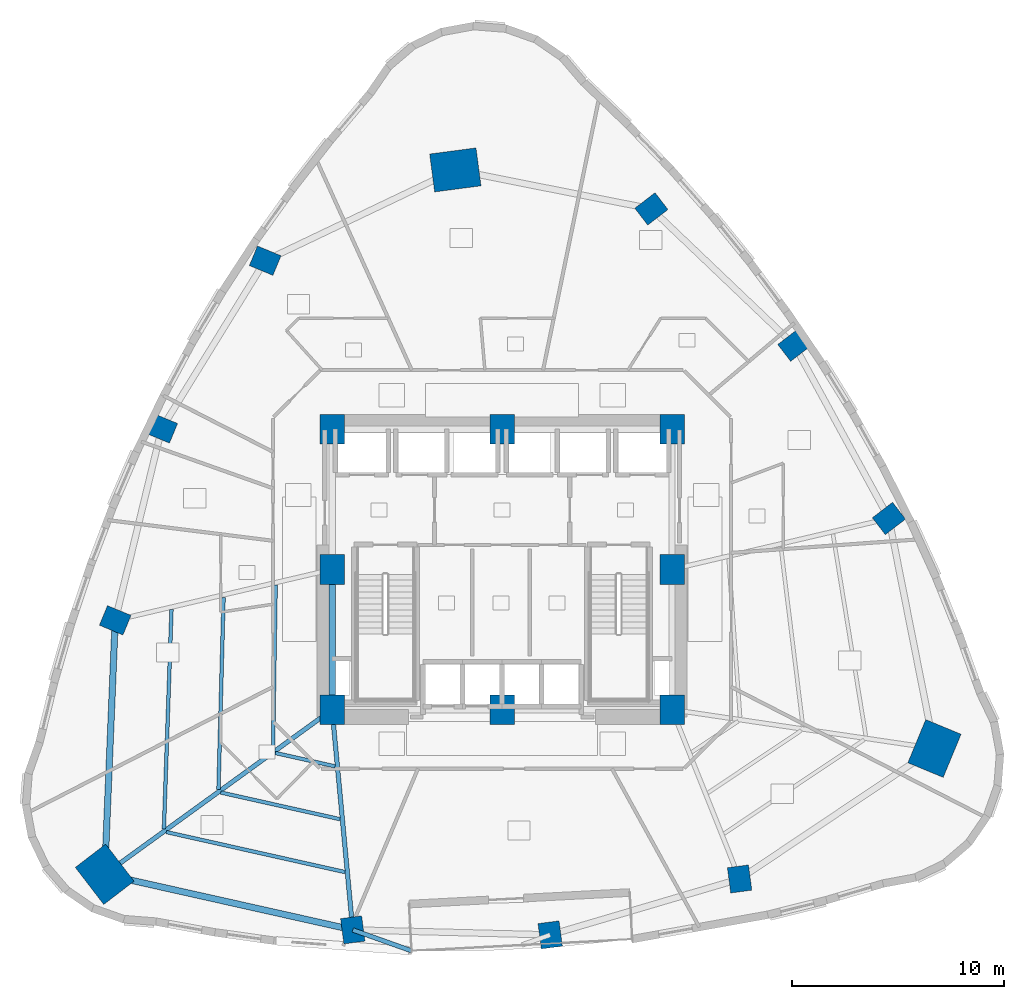
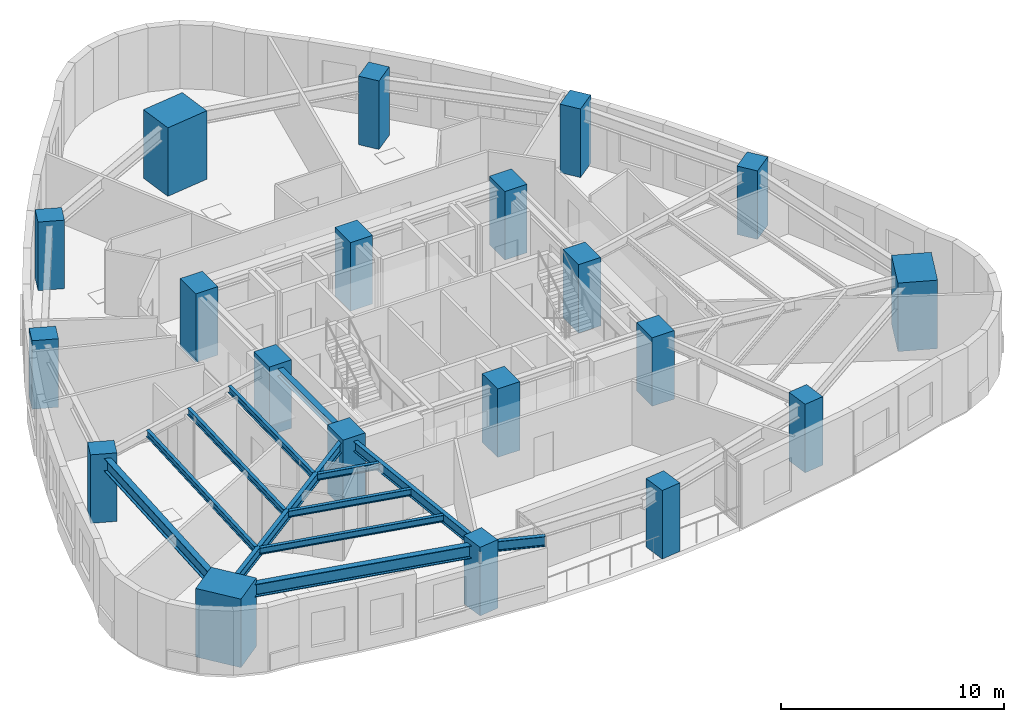
# One storey, part 1 of 11: 20 columns, 12 beams.
"""IFC4 building model written with IfcOpenShell, lengths in metres."""

from ifc_helpers import new_model, si_unit, direction, frame, origin, origin_2d, place, context, subcontext, project, spatial, rectangle, i_section, extrude, material, material_profile, profile_set, type_object, element, save


model = new_model("IFC4")

# Units and contexts
model_context = context("Model", 3, precision=1e-05, world=origin(), true_north=direction((0.0, 1.0)))
body_context = subcontext(model_context, "Body", "Model", "MODEL_VIEW")
ifc_project = project(units=[si_unit("LENGTHUNIT", "METRE"), si_unit("AREAUNIT", "SQUARE_METRE"), si_unit("VOLUMEUNIT", "CUBIC_METRE"), si_unit("PLANEANGLEUNIT", "RADIAN"), si_unit("MASSUNIT", "GRAM", prefix="KILO")], contexts=[model_context])

# Site, building, storey
site_placement = place(None, origin())
site = spatial("IfcSite", under=ifc_project, at=site_placement, CompositionType="ELEMENT")
building_placement = place(site_placement, origin())
building = spatial("IfcBuilding", under=site, at=building_placement, Name="Ndelora Gate Hotel", CompositionType="ELEMENT")
storey_placement = place(building_placement, frame((0.0, 0.0, 45.5)))
storey = spatial("IfcBuildingStorey", under=building, at=storey_placement, Name="L10", CompositionType="ELEMENT", Elevation=45.5)

# Columns
ifc_material_1 = material(Name="Concrete C60/75", Category="concrete")
ifc_material_profile_1 = material_profile(ifc_material_1, rectangle(XDim=1.14990234375, YDim=1.39990234375, at=origin_2d()), Name="RC 1400x1150")
ifc_profile_set_1 = profile_set([ifc_material_profile_1], Name="Concrete C60/75")
column_type_1 = type_object("IfcColumnType", Name="COL-CC-LOW", PredefinedType="COLUMN", material=ifc_profile_set_1)
for number, where, z_axis, x_axis, name in (
    (1, (-8.0, -6.60009765625, 0.0), (0.0, 0.0, 1.0), (1.0, 0.0, 0.0), "L10 Core Column CC1"),
    (2, (0.0, -6.60009765625, 0.0), (0.0, 0.0, 1.0), (1.0, 0.0, 0.0), "L10 Core Column CC2"),
    (3, (8.0, -6.60009765625, 0.0), (0.0, 0.0, 1.0), (1.0, 0.0, 0.0), "L10 Core Column CC3"),
    (4, (8.0, 0.0, 0.0), (0.0, 0.0, 1.0), (1.0, 0.0, 0.0), "L10 Core Column CC4"),
    (5, (8.0, 6.60009765625, 0.0), (0.0, 0.0, 1.0), (1.0, 0.0, 0.0), "L10 Core Column CC5"),
    (6, (0.0, 6.60009765625, 0.0), (0.0, 0.0, 1.0), (1.0, 0.0, 0.0), "L10 Core Column CC6"),
    (7, (-8.0, 6.60009765625, 0.0), (0.0, 0.0, 1.0), (1.0, 0.0, 0.0), "L10 Core Column CC7"),
    (8, (-8.0, 0.0, 0.0), (0.0, 0.0, 1.0), (1.0, 0.0, 0.0), "L10 Core Column CC8"),
):
    element("IfcColumn", number, at=place(storey_placement, frame(where, z_axis=z_axis, x_axis=x_axis)), inside=storey, type_object=column_type_1, Name=name, PredefinedType="COLUMN", context=body_context, shape_type="SweptSolid", body=[
        extrude(rectangle(XDim=1.14990234375, YDim=1.39990234375, at=origin_2d()), origin(), (0.0, 0.0, 1.0), 3.75),
    ])
ifc_material_profile_2 = material_profile(ifc_material_1, rectangle(XDim=1.800048828125, YDim=2.199951171875, at=origin_2d()), Name="RC 2200x1800")
ifc_profile_set_2 = profile_set([ifc_material_profile_2], Name="Concrete C60/75")
column_type_2 = type_object("IfcColumnType", Name="COL-MC-Z1", PredefinedType="COLUMN", material=ifc_profile_set_2)
for number, where, z_axis, x_axis, name in (
    (9, (-2.199951171875, 18.800048828125, 0.0), (0.0, 0.0, 1.0), (-0.13052619222, 0.991444861374, 0.0), "L10 Corner Mega-Column R1"),
    (10, (-18.701904296875, -14.3505859375, 0.0), (0.0, 0.0, 1.0), (0.793353340291, 0.608761429009, 0.0), "L10 Corner Mega-Column R5"),
    (11, (20.35009765625, -8.42919921875, 0.0), (0.0, 0.0, 1.0), (-0.923879532511, 0.382683432365, 0.0), "L10 Corner Mega-Column R9"),
):
    element("IfcColumn", number, at=place(storey_placement, frame(where, z_axis=z_axis, x_axis=x_axis)), inside=storey, type_object=column_type_2, Name=name, PredefinedType="COLUMN", context=body_context, shape_type="SweptSolid", body=[
        extrude(rectangle(XDim=1.800048828125, YDim=2.199951171875, at=origin_2d()), origin(), (0.0, 0.0, 1.0), 3.75),
    ])
ifc_material_profile_3 = material_profile(ifc_material_1, rectangle(XDim=1.0, YDim=1.199951171875, at=origin_2d()), Name="RC 1200x1000")
ifc_profile_set_3 = profile_set([ifc_material_profile_3], Name="Concrete C60/75")
column_type_3 = type_object("IfcColumnType", Name="COL-PT-Z1", PredefinedType="COLUMN", material=ifc_profile_set_3)
for number, where, z_axis, x_axis, name in (
    (12, (-11.1484375, 14.529052734375, 0.0), (0.0, 0.0, 1.0), (0.382683432365, 0.923879532511, 0.0), "L10 Perimeter Tube Column R2"),
    (13, (-16.016845703125, 6.634521484375, 0.0), (0.0, 0.0, 1.0), (0.382683432365, 0.923879532511, 0.0), "L10 Perimeter Tube Column R3"),
    (14, (-18.207275390625, -2.39697265625, 0.0), (0.0, 0.0, 1.0), (0.382683432365, 0.923879532511, 0.0), "L10 Perimeter Tube Column R4"),
    (15, (-7.027587890625, -16.96630859375, 0.0), (0.0, 0.0, 1.0), (0.991444861374, 0.13052619222, 0.0), "L10 Perimeter Tube Column R6"),
    (16, (2.2646484375, -17.20166015625, 0.0), (0.0, 0.0, 1.0), (0.991444861374, 0.13052619222, 0.0), "L10 Perimeter Tube Column R7"),
    (17, (11.179443359375, -14.5693359375, 0.0), (0.0, 0.0, 1.0), (0.991444861374, 0.13052619222, 0.0), "L10 Perimeter Tube Column R8"),
    (18, (18.207275390625, 2.39697265625, 0.0), (0.0, 0.0, 1.0), (-0.608761429009, 0.793353340291, 0.0), "L10 Perimeter Tube Column R10"),
    (19, (13.75390625, 10.5537109375, 0.0), (0.0, 0.0, 1.0), (-0.608761429009, 0.793353340291, 0.0), "L10 Perimeter Tube Column R11"),
    (20, (7.027587890625, 16.96630859375, 0.0), (0.0, 0.0, 1.0), (-0.608761429009, 0.793353340291, 0.0), "L10 Perimeter Tube Column R12"),
):
    element("IfcColumn", number, at=place(storey_placement, frame(where, z_axis=z_axis, x_axis=x_axis)), inside=storey, type_object=column_type_3, Name=name, PredefinedType="COLUMN", context=body_context, shape_type="SweptSolid", body=[
        extrude(rectangle(XDim=1.0, YDim=1.199951171875, at=origin_2d()), origin(), (0.0, 0.0, 1.0), 3.75),
    ])

# Beams
ifc_material_2 = material(Name="Steel S355", Category="steel")
ifc_material_profile_4 = material_profile(ifc_material_2, i_section(OverallWidth=0.300048828125, OverallDepth=0.39990234375, WebThickness=0.013427734375, FlangeThickness=0.02392578125, FilletRadius=0.027099609375, at=origin_2d()), Name="HEB 400")
ifc_profile_set_4 = profile_set([ifc_material_profile_4], Name="Steel S355")
beam_type_1 = type_object("IfcBeamType", Name="BM-CORE-400", PredefinedType="BEAM", material=ifc_profile_set_4)
beam_1_placement = place(storey_placement, frame((-8.0, -6.60009765625, 3.300048828125), z_axis=(0.0, 1.0, 0.0), x_axis=(-1.0, 0.0, 0.0)))
element("IfcBeam", 21, at=beam_1_placement, inside=storey, type_object=beam_type_1, Name="L10 Core Tie Girder CC1-CC8", PredefinedType="BEAM", context=body_context, shape_type="SweptSolid", body=[
    extrude(i_section(OverallWidth=0.300048828125, OverallDepth=0.39990234375, WebThickness=0.013427734375, FlangeThickness=0.02392578125, FilletRadius=0.027099609375, at=origin_2d()), origin(), (0.0, 0.0, 1.0), 6.60009765625),
])
ifc_material_profile_5 = material_profile(ifc_material_2, i_section(OverallWidth=0.169921875, OverallDepth=0.360107421875, WebThickness=0.008056640625, FlangeThickness=0.0126953125, FilletRadius=0.01806640625, at=origin_2d()), Name="IPE 360")
ifc_profile_set_5 = profile_set([ifc_material_profile_5], Name="Steel S355")
beam_type_2 = type_object("IfcBeamType", Name="BM-JST-360", PredefinedType="JOIST", material=ifc_profile_set_5)
beam_2_placement = place(storey_placement, frame((-10.65576171875, -0.73828125, 3.320068359375), z_axis=(-0.016071150123, -0.999870850727, 0.0), x_axis=(0.999870850727, -0.016071150123, 0.0)))
element("IfcBeam", 22, at=beam_2_placement, inside=storey, type_object=beam_type_2, Name="L10 Secondary Composite Floor Joist IN-4", PredefinedType="JOIST", context=body_context, shape_type="SweptSolid", body=[
    extrude(i_section(OverallWidth=0.169921875, OverallDepth=0.360107421875, WebThickness=0.008056640625, FlangeThickness=0.0126953125, FilletRadius=0.01806640625, at=origin_2d()), origin(), (0.0, 0.0, 1.0), 7.7626953125),
])
beam_3_placement = place(storey_placement, frame((-13.106689453125, -1.3134765625, 3.320068359375), z_axis=(-0.02665287705, -0.999644748971, 0.0), x_axis=(0.999644748971, -0.02665287705, 0.0)))
element("IfcBeam", 23, at=beam_3_placement, inside=storey, type_object=beam_type_2, Name="L10 Secondary Composite Floor Joist MID-4", PredefinedType="JOIST", context=body_context, shape_type="SweptSolid", body=[
    extrude(i_section(OverallWidth=0.169921875, OverallDepth=0.360107421875, WebThickness=0.008056640625, FlangeThickness=0.0126953125, FilletRadius=0.01806640625, at=origin_2d()), origin(), (0.0, 0.0, 1.0), 9.050048828125),
])
beam_4_placement = place(storey_placement, frame((-15.557373046875, -1.888671875, 3.320068359375), z_axis=(-0.034620883261, -0.999400517532, 0.0), x_axis=(0.999400517532, -0.034620883261, 0.0)))
element("IfcBeam", 24, at=beam_4_placement, inside=storey, type_object=beam_type_2, Name="L10 Secondary Composite Floor Joist OUT-4", PredefinedType="JOIST", context=body_context, shape_type="SweptSolid", body=[
    extrude(i_section(OverallWidth=0.169921875, OverallDepth=0.360107421875, WebThickness=0.008056640625, FlangeThickness=0.0126953125, FilletRadius=0.01806640625, at=origin_2d()), origin(), (0.0, 0.0, 1.0), 10.337890625),
])
beam_5_placement = place(storey_placement, frame((-10.67041015625, -8.640380859375, 3.320068359375), z_axis=(0.975820751938, -0.218572322325, 0.0), x_axis=(0.218572322325, 0.975820751938, 0.0)))
element("IfcBeam", 25, at=beam_5_placement, inside=storey, type_object=beam_type_2, Name="L10 Secondary Composite Floor Joist IN-5", PredefinedType="JOIST", context=body_context, shape_type="SweptSolid", body=[
    extrude(i_section(OverallWidth=0.169921875, OverallDepth=0.360107421875, WebThickness=0.008056640625, FlangeThickness=0.0126953125, FilletRadius=0.01806640625, at=origin_2d()), origin(), (0.0, 0.0, 1.0), 2.880615234375),
])
beam_6_placement = place(storey_placement, frame((-13.23876953125, -10.50048828125, 3.320068359375), z_axis=(0.975805037012, -0.218642470123, 0.0), x_axis=(0.218642470123, 0.975805037012, 0.0)))
element("IfcBeam", 26, at=beam_6_placement, inside=storey, type_object=beam_type_2, Name="L10 Secondary Composite Floor Joist MID-5", PredefinedType="JOIST", context=body_context, shape_type="SweptSolid", body=[
    extrude(i_section(OverallWidth=0.169921875, OverallDepth=0.360107421875, WebThickness=0.008056640625, FlangeThickness=0.0126953125, FilletRadius=0.01806640625, at=origin_2d()), origin(), (0.0, 0.0, 1.0), 5.751708984375),
])
beam_7_placement = place(storey_placement, frame((-15.80712890625, -12.360595703125, 3.320068359375), z_axis=(0.975802493229, -0.218653822759, 0.0), x_axis=(0.218653822759, 0.975802493229, 0.0)))
element("IfcBeam", 27, at=beam_7_placement, inside=storey, type_object=beam_type_2, Name="L10 Secondary Composite Floor Joist OUT-5", PredefinedType="JOIST", context=body_context, shape_type="SweptSolid", body=[
    extrude(i_section(OverallWidth=0.169921875, OverallDepth=0.360107421875, WebThickness=0.008056640625, FlangeThickness=0.0126953125, FilletRadius=0.01806640625, at=origin_2d()), origin(), (0.0, 0.0, 1.0), 8.623291015625),
])
ifc_material_profile_6 = material_profile(ifc_material_2, i_section(OverallWidth=0.2099609375, OverallDepth=0.550048828125, WebThickness=0.010986328125, FlangeThickness=0.01708984375, FilletRadius=0.02392578125, at=origin_2d()), Name="IPE 550")
ifc_profile_set_6 = profile_set([ifc_material_profile_6], Name="Steel S355")
beam_type_3 = type_object("IfcBeamType", Name="BM-RAD-550", PredefinedType="BEAM", material=ifc_profile_set_6)
beam_8_placement = place(storey_placement, frame((-8.0, -6.60009765625, 3.22509765625), z_axis=(-0.809912157619, -0.586551188679, 0.0), x_axis=(0.586551188679, -0.809912157619, 0.0)))
element("IfcBeam", 28, at=beam_8_placement, inside=storey, type_object=beam_type_3, Name="L10 Radial Floor Girder 5", PredefinedType="BEAM", context=body_context, shape_type="SweptSolid", body=[
    extrude(i_section(OverallWidth=0.2099609375, OverallDepth=0.550048828125, WebThickness=0.010986328125, FlangeThickness=0.01708984375, FilletRadius=0.02392578125, at=origin_2d()), origin(), (0.0, 0.0, 1.0), 13.213623046875),
])
beam_9_placement = place(storey_placement, frame((-8.0, -6.60009765625, 3.22509765625), z_axis=(0.093395913855, -0.995629049031, 0.0), x_axis=(0.995629049031, 0.093395913855, 0.0)))
element("IfcBeam", 29, at=beam_9_placement, inside=storey, type_object=beam_type_3, Name="L10 Radial Floor Girder 6", PredefinedType="BEAM", context=body_context, shape_type="SweptSolid", body=[
    extrude(i_section(OverallWidth=0.2099609375, OverallDepth=0.550048828125, WebThickness=0.010986328125, FlangeThickness=0.01708984375, FilletRadius=0.02392578125, at=origin_2d()), origin(), (0.0, 0.0, 1.0), 10.41162109375),
])
beam_10_placement = place(storey_placement, frame((-7.027587890625, -16.96630859375, 3.22509765625), z_axis=(0.942039285358, -0.335502585448, 0.0), x_axis=(0.335502585448, 0.942039285358, 0.0)))
element("IfcBeam", 30, at=beam_10_placement, inside=storey, type_object=beam_type_3, Name="L10 Sky-Garden Loggia Column Bracket 1", PredefinedType="BEAM", context=body_context, shape_type="SweptSolid", body=[
    extrude(i_section(OverallWidth=0.2099609375, OverallDepth=0.550048828125, WebThickness=0.010986328125, FlangeThickness=0.01708984375, FilletRadius=0.02392578125, at=origin_2d()), origin(), (0.0, 0.0, 1.0), 2.93115234375),
])
ifc_material_profile_7 = material_profile(ifc_material_2, i_section(OverallWidth=0.300048828125, OverallDepth=0.699951171875, WebThickness=0.01708984375, FlangeThickness=0.031982421875, FilletRadius=0.027099609375, at=origin_2d()), Name="HEB 700")
ifc_profile_set_7 = profile_set([ifc_material_profile_7], Name="Steel S355")
beam_type_4 = type_object("IfcBeamType", Name="BM-RING-700", PredefinedType="SPANDREL", material=ifc_profile_set_7)
for number, where, z_axis, x_axis, name in (
    (31, (-18.207275390625, -2.39697265625, 3.14990234375), (-0.041343648978, -0.99914498582, 0.0), (0.99914498582, -0.041343648978, 0.0), "L10 Perimeter Spandrel Girder 4"),
    (32, (-18.701904296875, -14.3505859375, 3.14990234375), (0.97580624377, -0.218637084273, 0.0), (0.218637084273, 0.97580624377, 0.0), "L10 Perimeter Spandrel Girder 5"),
):
    element("IfcBeam", number, at=place(storey_placement, frame(where, z_axis=z_axis, x_axis=x_axis)), inside=storey, type_object=beam_type_4, Name=name, PredefinedType="SPANDREL", context=body_context, shape_type="SweptSolid", body=[
        extrude(i_section(OverallWidth=0.300048828125, OverallDepth=0.699951171875, WebThickness=0.01708984375, FlangeThickness=0.031982421875, FilletRadius=0.027099609375, at=origin_2d()), origin(), (0.0, 0.0, 1.0), 11.9638671875),
    ])

save(model, "model.ifc")
